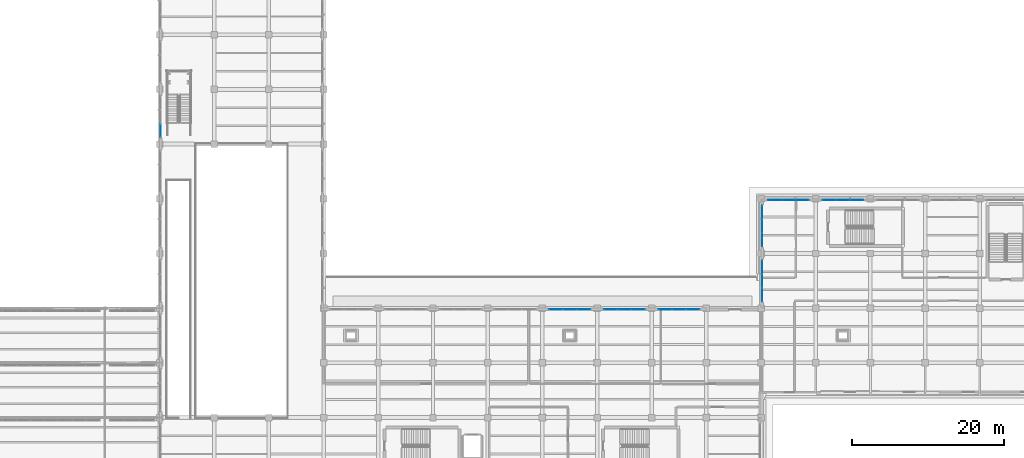
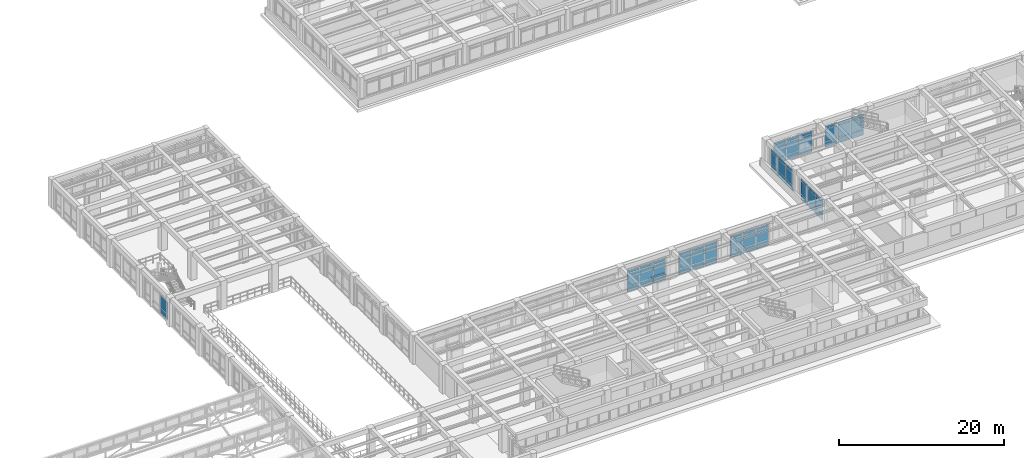
# One storey, part 70 of 98: 65 plates, 8 elements without a shape of their own.
"""IFC4 building model written with IfcOpenShell, lengths in metres."""

from ifc_helpers import new_model, si_unit, direction, frame, origin, origin_2d, place, context, subcontext, project, spatial, rectangle, extrude, material, layer, layer_set, type_object, element, aggregate, save


model = new_model("IFC4")

# Units and contexts
model_context = context("Model", 3, precision=1e-05, world=origin(), true_north=direction((0.0, 1.0)))
body_context = subcontext(model_context, "Body", "Model", "MODEL_VIEW")
ifc_project = project(units=[si_unit("LENGTHUNIT", "METRE"), si_unit("AREAUNIT", "SQUARE_METRE"), si_unit("VOLUMEUNIT", "CUBIC_METRE"), si_unit("PLANEANGLEUNIT", "RADIAN"), si_unit("MASSUNIT", "GRAM", prefix="KILO")], contexts=[model_context])

# Site, building, storey
site_placement = place(None, origin())
site = spatial("IfcSite", under=ifc_project, at=site_placement, CompositionType="ELEMENT")
building_placement = place(site_placement, origin())
building = spatial("IfcBuilding", under=site, at=building_placement, Name="Solenvale Faculty of Natural Sciences", CompositionType="ELEMENT")
storey_placement = place(building_placement, frame((0.0, 0.0, 9.0)))
storey = spatial("IfcBuildingStorey", under=building, at=storey_placement, Name="L02", CompositionType="ELEMENT", Elevation=9.0)

# Curtain wall, plates
ifc_material_1 = material(Name="Anodised bronze aluminium", Category="aluminium")
ifc_layer_1 = layer(ifc_material_1, 0.215087890625)
ifc_layer_set_1 = layer_set([ifc_layer_1], Name="Anodised bronze aluminium")
curtain_wall_type_1 = type_object("IfcCurtainWallType", Name="CW-ATR-UNIT", PredefinedType="USERDEFINED", material=ifc_layer_set_1)
curtain_wall_1_placement = place(storey_placement, origin())
curtain_wall_1 = element("IfcCurtainWall", 1, at=curtain_wall_1_placement, inside=storey, type_object=curtain_wall_type_1, Name="L02 Curtain Wall CW-L02-P1-E9-B4", ObjectType="UNITISED CURTAIN WALL", PredefinedType="USERDEFINED")
ifc_material_2 = material(Name="North-light skylight glass", Category="glass")
ifc_layer_2 = layer(ifc_material_2, 0.028076171875)
ifc_layer_set_2 = layer_set([ifc_layer_2], Name="North-light skylight glass")
plate_type_1 = type_object("IfcPlateType", Name="CWP-PNL-28", PredefinedType="CURTAIN_PANEL", material=ifc_layer_set_2)
plate_1_placement = place(storey_placement, frame((36.142578125, 66.58544921875, 0.074951171875), z_axis=(0.0, 0.0, 1.0), x_axis=(0.0, -1.0, 0.0)))
plate_1 = element("IfcPlate", 2, at=plate_1_placement, type_object=plate_type_1, Name="CW-01 panel 3.1", PredefinedType="CURTAIN_PANEL", context=body_context, shape_type="SweptSolid", body=[
    extrude(rectangle(XDim=1.720947265625, YDim=0.028076171875, at=origin_2d()), origin(), (0.0, 0.0, 1.0), 0.78759765625),
])
plate_2_placement = place(storey_placement, frame((36.142578125, 66.58544921875, 0.9375), z_axis=(0.0, 0.0, 1.0), x_axis=(0.0, -1.0, 0.0)))
plate_2 = element("IfcPlate", 3, at=plate_2_placement, type_object=plate_type_1, Name="CW-01 panel 3.2", PredefinedType="CURTAIN_PANEL", context=body_context, shape_type="SweptSolid", body=[
    extrude(rectangle(XDim=1.720947265625, YDim=0.028076171875, at=origin_2d()), origin(), (0.0, 0.0, 1.0), 1.784912109375),
])
aggregate(curtain_wall_1, [plate_1, plate_2])

ifc_layer_3 = layer(ifc_material_1, 0.199951171875)
ifc_layer_set_3 = layer_set([ifc_layer_3], Name="Anodised bronze aluminium")
curtain_wall_type_2 = type_object("IfcCurtainWallType", Name="CW-COM-FIN", PredefinedType="USERDEFINED", material=ifc_layer_set_3)
curtain_wall_2_placement = place(storey_placement, origin())
curtain_wall_2 = element("IfcCurtainWall", 4, at=curtain_wall_2_placement, inside=storey, type_object=curtain_wall_type_2, Name="L02 Curtain Wall CW-L02-P1-E5-B1", ObjectType="UNITISED CURTAIN WALL", PredefinedType="USERDEFINED")
ifc_material_3 = material(Name="Triple low-E insulated glass", Category="glass")
ifc_layer_4 = layer(ifc_material_3, 0.031982421875)
ifc_layer_set_4 = layer_set([ifc_layer_4], Name="Triple low-E insulated glass")
plate_type_2 = type_object("IfcPlateType", Name="CWP-PNL-32", PredefinedType="CURTAIN_PANEL", material=ifc_layer_set_4)
plate_3_placement = place(storey_placement, frame((115.342529296875, 55.814697265625, 0.074951171875), z_axis=(0.0, 0.0, 1.0), x_axis=(0.0, -1.0, 0.0)))
plate_3 = element("IfcPlate", 5, at=plate_3_placement, type_object=plate_type_2, Name="CW-03 panel 1.1", PredefinedType="CURTAIN_PANEL", context=body_context, shape_type="SweptSolid", body=[
    extrude(rectangle(XDim=1.720947265625, YDim=0.031982421875, at=origin_2d()), origin(), (0.0, 0.0, 1.0), 0.78759765625),
])
plate_4_placement = place(storey_placement, frame((115.342529296875, 55.814697265625, 0.9375), z_axis=(0.0, 0.0, 1.0), x_axis=(0.0, -1.0, 0.0)))
plate_4 = element("IfcPlate", 6, at=plate_4_placement, type_object=plate_type_2, Name="CW-03 panel 1.2", PredefinedType="CURTAIN_PANEL", context=body_context, shape_type="SweptSolid", body=[
    extrude(rectangle(XDim=1.720947265625, YDim=0.031982421875, at=origin_2d()), origin(), (0.0, 0.0, 1.0), 1.784912109375),
])
plate_5_placement = place(storey_placement, frame((115.342529296875, 55.814697265625, 2.79736328125), z_axis=(0.0, 0.0, 1.0), x_axis=(0.0, -1.0, 0.0)))
plate_5 = element("IfcPlate", 7, at=plate_5_placement, type_object=plate_type_2, Name="CW-03 panel 1.3", PredefinedType="CURTAIN_PANEL", context=body_context, shape_type="SweptSolid", body=[
    extrude(rectangle(XDim=1.720947265625, YDim=0.031982421875, at=origin_2d()), origin(), (0.0, 0.0, 1.0), 0.387451171875),
])
plate_6_placement = place(storey_placement, frame((115.342529296875, 54.0, 0.074951171875), z_axis=(0.0, 0.0, 1.0), x_axis=(0.0, -1.0, 0.0)))
plate_6 = element("IfcPlate", 8, at=plate_6_placement, type_object=plate_type_2, Name="CW-03 panel 2.1", PredefinedType="CURTAIN_PANEL", context=body_context, shape_type="SweptSolid", body=[
    extrude(rectangle(XDim=1.75830078125, YDim=0.031982421875, at=origin_2d()), origin(), (0.0, 0.0, 1.0), 0.78759765625),
])
plate_7_placement = place(storey_placement, frame((115.342529296875, 54.0, 0.9375), z_axis=(0.0, 0.0, 1.0), x_axis=(0.0, -1.0, 0.0)))
plate_7 = element("IfcPlate", 9, at=plate_7_placement, type_object=plate_type_2, Name="CW-03 panel 2.2", PredefinedType="CURTAIN_PANEL", context=body_context, shape_type="SweptSolid", body=[
    extrude(rectangle(XDim=1.75830078125, YDim=0.031982421875, at=origin_2d()), origin(), (0.0, 0.0, 1.0), 1.784912109375),
])
plate_8_placement = place(storey_placement, frame((115.342529296875, 54.0, 2.79736328125), z_axis=(0.0, 0.0, 1.0), x_axis=(0.0, -1.0, 0.0)))
plate_8 = element("IfcPlate", 10, at=plate_8_placement, type_object=plate_type_2, Name="CW-03 panel 2.3", PredefinedType="CURTAIN_PANEL", context=body_context, shape_type="SweptSolid", body=[
    extrude(rectangle(XDim=1.75830078125, YDim=0.031982421875, at=origin_2d()), origin(), (0.0, 0.0, 1.0), 0.387451171875),
])
plate_9_placement = place(storey_placement, frame((115.342529296875, 52.185302734375, 0.074951171875), z_axis=(0.0, 0.0, 1.0), x_axis=(0.0, -1.0, 0.0)))
plate_9 = element("IfcPlate", 11, at=plate_9_placement, type_object=plate_type_2, Name="CW-03 panel 3.1", PredefinedType="CURTAIN_PANEL", context=body_context, shape_type="SweptSolid", body=[
    extrude(rectangle(XDim=1.720947265625, YDim=0.031982421875, at=origin_2d()), origin(), (0.0, 0.0, 1.0), 0.78759765625),
])
plate_10_placement = place(storey_placement, frame((115.342529296875, 52.185302734375, 0.9375), z_axis=(0.0, 0.0, 1.0), x_axis=(0.0, -1.0, 0.0)))
plate_10 = element("IfcPlate", 12, at=plate_10_placement, type_object=plate_type_2, Name="CW-03 panel 3.2", PredefinedType="CURTAIN_PANEL", context=body_context, shape_type="SweptSolid", body=[
    extrude(rectangle(XDim=1.720947265625, YDim=0.031982421875, at=origin_2d()), origin(), (0.0, 0.0, 1.0), 1.784912109375),
])
plate_11_placement = place(storey_placement, frame((115.342529296875, 52.185302734375, 2.79736328125), z_axis=(0.0, 0.0, 1.0), x_axis=(0.0, -1.0, 0.0)))
plate_11 = element("IfcPlate", 13, at=plate_11_placement, type_object=plate_type_2, Name="CW-03 panel 3.3", PredefinedType="CURTAIN_PANEL", context=body_context, shape_type="SweptSolid", body=[
    extrude(rectangle(XDim=1.720947265625, YDim=0.031982421875, at=origin_2d()), origin(), (0.0, 0.0, 1.0), 0.387451171875),
])
aggregate(curtain_wall_2, [plate_3, plate_4, plate_5, plate_6, plate_7, plate_8, plate_9, plate_10, plate_11])

curtain_wall_3_placement = place(storey_placement, origin())
curtain_wall_3 = element("IfcCurtainWall", 14, at=curtain_wall_3_placement, inside=storey, type_object=curtain_wall_type_2, Name="L02 Curtain Wall CW-L02-P1-E5-B2", ObjectType="UNITISED CURTAIN WALL", PredefinedType="USERDEFINED")
ifc_layer_5 = layer(ifc_material_3, 0.035888671875)
ifc_layer_set_5 = layer_set([ifc_layer_5], Name="Triple low-E insulated glass")
plate_type_3 = type_object("IfcPlateType", Name="CWP-PNL-36", PredefinedType="CURTAIN_PANEL", material=ifc_layer_set_5)
plate_12_placement = place(storey_placement, frame((115.342529296875, 48.614501953125, 0.074951171875), z_axis=(0.0, 0.0, 1.0), x_axis=(0.0, -1.0, 0.0)))
plate_12 = element("IfcPlate", 15, at=plate_12_placement, type_object=plate_type_3, Name="CW-03 panel 1.1", PredefinedType="CURTAIN_PANEL", context=body_context, shape_type="SweptSolid", body=[
    extrude(rectangle(XDim=1.720947265625, YDim=0.035888671875, at=origin_2d()), origin(), (0.0, 0.0, 1.0), 0.78759765625),
])
plate_13_placement = place(storey_placement, frame((115.342529296875, 48.614501953125, 0.9375), z_axis=(0.0, 0.0, 1.0), x_axis=(0.0, -1.0, 0.0)))
plate_13 = element("IfcPlate", 16, at=plate_13_placement, type_object=plate_type_3, Name="CW-03 panel 1.2", PredefinedType="CURTAIN_PANEL", context=body_context, shape_type="SweptSolid", body=[
    extrude(rectangle(XDim=1.720947265625, YDim=0.035888671875, at=origin_2d()), origin(), (0.0, 0.0, 1.0), 1.784912109375),
])
plate_14_placement = place(storey_placement, frame((115.342529296875, 48.614501953125, 2.79736328125), z_axis=(0.0, 0.0, 1.0), x_axis=(0.0, -1.0, 0.0)))
plate_14 = element("IfcPlate", 17, at=plate_14_placement, type_object=plate_type_3, Name="CW-03 panel 1.3", PredefinedType="CURTAIN_PANEL", context=body_context, shape_type="SweptSolid", body=[
    extrude(rectangle(XDim=1.720947265625, YDim=0.035888671875, at=origin_2d()), origin(), (0.0, 0.0, 1.0), 0.387451171875),
])
plate_15_placement = place(storey_placement, frame((115.342529296875, 46.800048828125, 0.074951171875), z_axis=(0.0, 0.0, 1.0), x_axis=(0.0, -1.0, 0.0)))
plate_15 = element("IfcPlate", 18, at=plate_15_placement, type_object=plate_type_3, Name="CW-03 panel 2.1", PredefinedType="CURTAIN_PANEL", context=body_context, shape_type="SweptSolid", body=[
    extrude(rectangle(XDim=1.75830078125, YDim=0.035888671875, at=origin_2d()), origin(), (0.0, 0.0, 1.0), 0.78759765625),
])
plate_16_placement = place(storey_placement, frame((115.342529296875, 46.800048828125, 0.9375), z_axis=(0.0, 0.0, 1.0), x_axis=(0.0, -1.0, 0.0)))
plate_16 = element("IfcPlate", 19, at=plate_16_placement, type_object=plate_type_3, Name="CW-03 panel 2.2", PredefinedType="CURTAIN_PANEL", context=body_context, shape_type="SweptSolid", body=[
    extrude(rectangle(XDim=1.75830078125, YDim=0.035888671875, at=origin_2d()), origin(), (0.0, 0.0, 1.0), 1.784912109375),
])
plate_17_placement = place(storey_placement, frame((115.342529296875, 46.800048828125, 2.79736328125), z_axis=(0.0, 0.0, 1.0), x_axis=(0.0, -1.0, 0.0)))
plate_17 = element("IfcPlate", 20, at=plate_17_placement, type_object=plate_type_3, Name="CW-03 panel 2.3", PredefinedType="CURTAIN_PANEL", context=body_context, shape_type="SweptSolid", body=[
    extrude(rectangle(XDim=1.75830078125, YDim=0.035888671875, at=origin_2d()), origin(), (0.0, 0.0, 1.0), 0.387451171875),
])
plate_18_placement = place(storey_placement, frame((115.342529296875, 44.9853515625, 0.074951171875), z_axis=(0.0, 0.0, 1.0), x_axis=(0.0, -1.0, 0.0)))
plate_18 = element("IfcPlate", 21, at=plate_18_placement, type_object=plate_type_3, Name="CW-03 panel 3.1", PredefinedType="CURTAIN_PANEL", context=body_context, shape_type="SweptSolid", body=[
    extrude(rectangle(XDim=1.720947265625, YDim=0.035888671875, at=origin_2d()), origin(), (0.0, 0.0, 1.0), 0.78759765625),
])
plate_19_placement = place(storey_placement, frame((115.342529296875, 44.9853515625, 0.9375), z_axis=(0.0, 0.0, 1.0), x_axis=(0.0, -1.0, 0.0)))
plate_19 = element("IfcPlate", 22, at=plate_19_placement, type_object=plate_type_3, Name="CW-03 panel 3.2", PredefinedType="CURTAIN_PANEL", context=body_context, shape_type="SweptSolid", body=[
    extrude(rectangle(XDim=1.720947265625, YDim=0.035888671875, at=origin_2d()), origin(), (0.0, 0.0, 1.0), 1.784912109375),
])
plate_20_placement = place(storey_placement, frame((115.342529296875, 44.9853515625, 2.79736328125), z_axis=(0.0, 0.0, 1.0), x_axis=(0.0, -1.0, 0.0)))
plate_20 = element("IfcPlate", 23, at=plate_20_placement, type_object=plate_type_3, Name="CW-03 panel 3.3", PredefinedType="CURTAIN_PANEL", context=body_context, shape_type="SweptSolid", body=[
    extrude(rectangle(XDim=1.720947265625, YDim=0.035888671875, at=origin_2d()), origin(), (0.0, 0.0, 1.0), 0.387451171875),
])
aggregate(curtain_wall_3, [plate_12, plate_13, plate_14, plate_15, plate_16, plate_17, plate_18, plate_19, plate_20])

ifc_layer_6 = layer(ifc_material_1, 0.18994140625)
ifc_layer_set_6 = layer_set([ifc_layer_6], Name="Anodised bronze aluminium")
curtain_wall_type_3 = type_object("IfcCurtainWallType", Name="CW-TRAY-REC", PredefinedType="USERDEFINED", material=ifc_layer_set_6)
curtain_wall_4_placement = place(storey_placement, origin())
curtain_wall_4 = element("IfcCurtainWall", 24, at=curtain_wall_4_placement, inside=storey, type_object=curtain_wall_type_3, Name="L02 Curtain Wall CW-L02-P1-E6-B2", ObjectType="UNITISED CURTAIN WALL", PredefinedType="USERDEFINED")
ifc_layer_7 = layer(ifc_material_3, 0.0400390625)
ifc_layer_set_7 = layer_set([ifc_layer_7], Name="Triple low-E insulated glass")
plate_type_4 = type_object("IfcPlateType", Name="CWP-PNL-40", PredefinedType="CURTAIN_PANEL", material=ifc_layer_set_7)
plate_21_placement = place(storey_placement, frame((106.214599609375, 43.03759765625, 0.074951171875), z_axis=(0.0, 0.0, 1.0), x_axis=(-1.0, 0.0, 0.0)))
plate_21 = element("IfcPlate", 25, at=plate_21_placement, type_object=plate_type_4, Name="CW-02 panel 1.1", PredefinedType="CURTAIN_PANEL", context=body_context, shape_type="SweptSolid", body=[
    extrude(rectangle(XDim=1.720947265625, YDim=0.0400390625, at=origin_2d()), origin(), (0.0, 0.0, 1.0), 0.78759765625),
])
plate_22_placement = place(storey_placement, frame((106.214599609375, 43.03759765625, 0.9375), z_axis=(0.0, 0.0, 1.0), x_axis=(-1.0, 0.0, 0.0)))
plate_22 = element("IfcPlate", 26, at=plate_22_placement, type_object=plate_type_4, Name="CW-02 panel 1.2", PredefinedType="CURTAIN_PANEL", context=body_context, shape_type="SweptSolid", body=[
    extrude(rectangle(XDim=1.720947265625, YDim=0.0400390625, at=origin_2d()), origin(), (0.0, 0.0, 1.0), 1.784912109375),
])
plate_23_placement = place(storey_placement, frame((106.214599609375, 43.03759765625, 2.79736328125), z_axis=(0.0, 0.0, 1.0), x_axis=(-1.0, 0.0, 0.0)))
plate_23 = element("IfcPlate", 27, at=plate_23_placement, type_object=plate_type_4, Name="CW-02 panel 1.3", PredefinedType="CURTAIN_PANEL", context=body_context, shape_type="SweptSolid", body=[
    extrude(rectangle(XDim=1.720947265625, YDim=0.0400390625, at=origin_2d()), origin(), (0.0, 0.0, 1.0), 0.387451171875),
])
plate_24_placement = place(storey_placement, frame((104.39990234375, 43.03759765625, 0.074951171875), z_axis=(0.0, 0.0, 1.0), x_axis=(-1.0, 0.0, 0.0)))
plate_24 = element("IfcPlate", 28, at=plate_24_placement, type_object=plate_type_4, Name="CW-02 panel 2.1", PredefinedType="CURTAIN_PANEL", context=body_context, shape_type="SweptSolid", body=[
    extrude(rectangle(XDim=1.75830078125, YDim=0.0400390625, at=origin_2d()), origin(), (0.0, 0.0, 1.0), 0.78759765625),
])
plate_25_placement = place(storey_placement, frame((104.39990234375, 43.03759765625, 0.9375), z_axis=(0.0, 0.0, 1.0), x_axis=(-1.0, 0.0, 0.0)))
plate_25 = element("IfcPlate", 29, at=plate_25_placement, type_object=plate_type_4, Name="CW-02 panel 2.2", PredefinedType="CURTAIN_PANEL", context=body_context, shape_type="SweptSolid", body=[
    extrude(rectangle(XDim=1.75830078125, YDim=0.0400390625, at=origin_2d()), origin(), (0.0, 0.0, 1.0), 1.784912109375),
])
plate_26_placement = place(storey_placement, frame((104.39990234375, 43.03759765625, 2.79736328125), z_axis=(0.0, 0.0, 1.0), x_axis=(-1.0, 0.0, 0.0)))
plate_26 = element("IfcPlate", 30, at=plate_26_placement, type_object=plate_type_4, Name="CW-02 panel 2.3", PredefinedType="CURTAIN_PANEL", context=body_context, shape_type="SweptSolid", body=[
    extrude(rectangle(XDim=1.75830078125, YDim=0.0400390625, at=origin_2d()), origin(), (0.0, 0.0, 1.0), 0.387451171875),
])
plate_27_placement = place(storey_placement, frame((102.58544921875, 43.03759765625, 0.074951171875), z_axis=(0.0, 0.0, 1.0), x_axis=(-1.0, 0.0, 0.0)))
plate_27 = element("IfcPlate", 31, at=plate_27_placement, type_object=plate_type_4, Name="CW-02 panel 3.1", PredefinedType="CURTAIN_PANEL", context=body_context, shape_type="SweptSolid", body=[
    extrude(rectangle(XDim=1.720947265625, YDim=0.0400390625, at=origin_2d()), origin(), (0.0, 0.0, 1.0), 0.78759765625),
])
plate_28_placement = place(storey_placement, frame((102.58544921875, 43.03759765625, 0.9375), z_axis=(0.0, 0.0, 1.0), x_axis=(-1.0, 0.0, 0.0)))
plate_28 = element("IfcPlate", 32, at=plate_28_placement, type_object=plate_type_4, Name="CW-02 panel 3.2", PredefinedType="CURTAIN_PANEL", context=body_context, shape_type="SweptSolid", body=[
    extrude(rectangle(XDim=1.720947265625, YDim=0.0400390625, at=origin_2d()), origin(), (0.0, 0.0, 1.0), 1.784912109375),
])
plate_29_placement = place(storey_placement, frame((102.58544921875, 43.03759765625, 2.79736328125), z_axis=(0.0, 0.0, 1.0), x_axis=(-1.0, 0.0, 0.0)))
plate_29 = element("IfcPlate", 33, at=plate_29_placement, type_object=plate_type_4, Name="CW-02 panel 3.3", PredefinedType="CURTAIN_PANEL", context=body_context, shape_type="SweptSolid", body=[
    extrude(rectangle(XDim=1.720947265625, YDim=0.0400390625, at=origin_2d()), origin(), (0.0, 0.0, 1.0), 0.387451171875),
])
aggregate(curtain_wall_4, [plate_21, plate_22, plate_23, plate_24, plate_25, plate_26, plate_27, plate_28, plate_29])

curtain_wall_5_placement = place(storey_placement, origin())
curtain_wall_5 = element("IfcCurtainWall", 34, at=curtain_wall_5_placement, inside=storey, type_object=curtain_wall_type_3, Name="L02 Curtain Wall CW-L02-P1-E6-B3", ObjectType="UNITISED CURTAIN WALL", PredefinedType="USERDEFINED")
ifc_layer_8 = layer(ifc_material_3, 0.0439453125)
ifc_layer_set_8 = layer_set([ifc_layer_8], Name="Triple low-E insulated glass")
plate_type_5 = type_object("IfcPlateType", Name="CWP-PNL-44", PredefinedType="CURTAIN_PANEL", material=ifc_layer_set_8)
plate_30_placement = place(storey_placement, frame((99.0146484375, 43.03759765625, 0.074951171875), z_axis=(0.0, 0.0, 1.0), x_axis=(-1.0, 0.0, 0.0)))
plate_30 = element("IfcPlate", 35, at=plate_30_placement, type_object=plate_type_5, Name="CW-02 panel 1.1", PredefinedType="CURTAIN_PANEL", context=body_context, shape_type="SweptSolid", body=[
    extrude(rectangle(XDim=1.720947265625, YDim=0.0439453125, at=origin_2d()), origin(), (0.0, 0.0, 1.0), 0.78759765625),
])
plate_31_placement = place(storey_placement, frame((99.0146484375, 43.03759765625, 0.9375), z_axis=(0.0, 0.0, 1.0), x_axis=(-1.0, 0.0, 0.0)))
plate_31 = element("IfcPlate", 36, at=plate_31_placement, type_object=plate_type_5, Name="CW-02 panel 1.2", PredefinedType="CURTAIN_PANEL", context=body_context, shape_type="SweptSolid", body=[
    extrude(rectangle(XDim=1.720947265625, YDim=0.0439453125, at=origin_2d()), origin(), (0.0, 0.0, 1.0), 1.784912109375),
])
plate_32_placement = place(storey_placement, frame((99.0146484375, 43.03759765625, 2.79736328125), z_axis=(0.0, 0.0, 1.0), x_axis=(-1.0, 0.0, 0.0)))
plate_32 = element("IfcPlate", 37, at=plate_32_placement, type_object=plate_type_5, Name="CW-02 panel 1.3", PredefinedType="CURTAIN_PANEL", context=body_context, shape_type="SweptSolid", body=[
    extrude(rectangle(XDim=1.720947265625, YDim=0.0439453125, at=origin_2d()), origin(), (0.0, 0.0, 1.0), 0.387451171875),
])
plate_33_placement = place(storey_placement, frame((97.199951171875, 43.03759765625, 0.074951171875), z_axis=(0.0, 0.0, 1.0), x_axis=(-1.0, 0.0, 0.0)))
plate_33 = element("IfcPlate", 38, at=plate_33_placement, type_object=plate_type_5, Name="CW-02 panel 2.1", PredefinedType="CURTAIN_PANEL", context=body_context, shape_type="SweptSolid", body=[
    extrude(rectangle(XDim=1.75830078125, YDim=0.0439453125, at=origin_2d()), origin(), (0.0, 0.0, 1.0), 0.78759765625),
])
plate_34_placement = place(storey_placement, frame((97.199951171875, 43.03759765625, 0.9375), z_axis=(0.0, 0.0, 1.0), x_axis=(-1.0, 0.0, 0.0)))
plate_34 = element("IfcPlate", 39, at=plate_34_placement, type_object=plate_type_5, Name="CW-02 panel 2.2", PredefinedType="CURTAIN_PANEL", context=body_context, shape_type="SweptSolid", body=[
    extrude(rectangle(XDim=1.75830078125, YDim=0.0439453125, at=origin_2d()), origin(), (0.0, 0.0, 1.0), 1.784912109375),
])
plate_35_placement = place(storey_placement, frame((97.199951171875, 43.03759765625, 2.79736328125), z_axis=(0.0, 0.0, 1.0), x_axis=(-1.0, 0.0, 0.0)))
plate_35 = element("IfcPlate", 40, at=plate_35_placement, type_object=plate_type_5, Name="CW-02 panel 2.3", PredefinedType="CURTAIN_PANEL", context=body_context, shape_type="SweptSolid", body=[
    extrude(rectangle(XDim=1.75830078125, YDim=0.0439453125, at=origin_2d()), origin(), (0.0, 0.0, 1.0), 0.387451171875),
])
plate_36_placement = place(storey_placement, frame((95.385498046875, 43.03759765625, 0.074951171875), z_axis=(0.0, 0.0, 1.0), x_axis=(-1.0, 0.0, 0.0)))
plate_36 = element("IfcPlate", 41, at=plate_36_placement, type_object=plate_type_5, Name="CW-02 panel 3.1", PredefinedType="CURTAIN_PANEL", context=body_context, shape_type="SweptSolid", body=[
    extrude(rectangle(XDim=1.720947265625, YDim=0.0439453125, at=origin_2d()), origin(), (0.0, 0.0, 1.0), 0.78759765625),
])
plate_37_placement = place(storey_placement, frame((95.385498046875, 43.03759765625, 0.9375), z_axis=(0.0, 0.0, 1.0), x_axis=(-1.0, 0.0, 0.0)))
plate_37 = element("IfcPlate", 42, at=plate_37_placement, type_object=plate_type_5, Name="CW-02 panel 3.2", PredefinedType="CURTAIN_PANEL", context=body_context, shape_type="SweptSolid", body=[
    extrude(rectangle(XDim=1.720947265625, YDim=0.0439453125, at=origin_2d()), origin(), (0.0, 0.0, 1.0), 1.784912109375),
])
plate_38_placement = place(storey_placement, frame((95.385498046875, 43.03759765625, 2.79736328125), z_axis=(0.0, 0.0, 1.0), x_axis=(-1.0, 0.0, 0.0)))
plate_38 = element("IfcPlate", 43, at=plate_38_placement, type_object=plate_type_5, Name="CW-02 panel 3.3", PredefinedType="CURTAIN_PANEL", context=body_context, shape_type="SweptSolid", body=[
    extrude(rectangle(XDim=1.720947265625, YDim=0.0439453125, at=origin_2d()), origin(), (0.0, 0.0, 1.0), 0.387451171875),
])
aggregate(curtain_wall_5, [plate_30, plate_31, plate_32, plate_33, plate_34, plate_35, plate_36, plate_37, plate_38])

curtain_wall_6_placement = place(storey_placement, origin())
curtain_wall_6 = element("IfcCurtainWall", 44, at=curtain_wall_6_placement, inside=storey, type_object=curtain_wall_type_2, Name="L02 Curtain Wall CW-L02-P1-E4-B6", ObjectType="UNITISED CURTAIN WALL", PredefinedType="USERDEFINED")
ifc_layer_9 = layer(ifc_material_1, 0.048095703125)
ifc_layer_set_9 = layer_set([ifc_layer_9], Name="Anodised bronze aluminium")
plate_type_6 = type_object("IfcPlateType", Name="CWP-PNL-48", PredefinedType="CURTAIN_PANEL", material=ifc_layer_set_9)
plate_39_placement = place(storey_placement, frame((127.814697265625, 57.45751953125, 0.074951171875), z_axis=(0.0, 0.0, 1.0), x_axis=(-1.0, 0.0, 0.0)))
plate_39 = element("IfcPlate", 45, at=plate_39_placement, type_object=plate_type_6, Name="CW-03 panel 1.1", PredefinedType="CURTAIN_PANEL", context=body_context, shape_type="SweptSolid", body=[
    extrude(rectangle(XDim=1.720947265625, YDim=0.048095703125, at=origin_2d()), origin(), (0.0, 0.0, 1.0), 0.78759765625),
])
plate_40_placement = place(storey_placement, frame((127.814697265625, 57.45751953125, 0.9375), z_axis=(0.0, 0.0, 1.0), x_axis=(-1.0, 0.0, 0.0)))
plate_40 = element("IfcPlate", 46, at=plate_40_placement, type_object=plate_type_6, Name="CW-03 panel 1.2", PredefinedType="CURTAIN_PANEL", context=body_context, shape_type="SweptSolid", body=[
    extrude(rectangle(XDim=1.720947265625, YDim=0.048095703125, at=origin_2d()), origin(), (0.0, 0.0, 1.0), 1.784912109375),
])
plate_41_placement = place(storey_placement, frame((127.814697265625, 57.45751953125, 2.79736328125), z_axis=(0.0, 0.0, 1.0), x_axis=(-1.0, 0.0, 0.0)))
plate_41 = element("IfcPlate", 47, at=plate_41_placement, type_object=plate_type_6, Name="CW-03 panel 1.3", PredefinedType="CURTAIN_PANEL", context=body_context, shape_type="SweptSolid", body=[
    extrude(rectangle(XDim=1.720947265625, YDim=0.048095703125, at=origin_2d()), origin(), (0.0, 0.0, 1.0), 0.387451171875),
])
plate_42_placement = place(storey_placement, frame((126.0, 57.45751953125, 0.074951171875), z_axis=(0.0, 0.0, 1.0), x_axis=(-1.0, 0.0, 0.0)))
plate_42 = element("IfcPlate", 48, at=plate_42_placement, type_object=plate_type_6, Name="CW-03 panel 2.1", PredefinedType="CURTAIN_PANEL", context=body_context, shape_type="SweptSolid", body=[
    extrude(rectangle(XDim=1.75830078125, YDim=0.048095703125, at=origin_2d()), origin(), (0.0, 0.0, 1.0), 0.78759765625),
])
plate_43_placement = place(storey_placement, frame((126.0, 57.45751953125, 0.9375), z_axis=(0.0, 0.0, 1.0), x_axis=(-1.0, 0.0, 0.0)))
plate_43 = element("IfcPlate", 49, at=plate_43_placement, type_object=plate_type_6, Name="CW-03 panel 2.2", PredefinedType="CURTAIN_PANEL", context=body_context, shape_type="SweptSolid", body=[
    extrude(rectangle(XDim=1.75830078125, YDim=0.048095703125, at=origin_2d()), origin(), (0.0, 0.0, 1.0), 1.784912109375),
])
plate_44_placement = place(storey_placement, frame((126.0, 57.45751953125, 2.79736328125), z_axis=(0.0, 0.0, 1.0), x_axis=(-1.0, 0.0, 0.0)))
plate_44 = element("IfcPlate", 50, at=plate_44_placement, type_object=plate_type_6, Name="CW-03 panel 2.3", PredefinedType="CURTAIN_PANEL", context=body_context, shape_type="SweptSolid", body=[
    extrude(rectangle(XDim=1.75830078125, YDim=0.048095703125, at=origin_2d()), origin(), (0.0, 0.0, 1.0), 0.387451171875),
])
plate_45_placement = place(storey_placement, frame((124.185302734375, 57.45751953125, 0.074951171875), z_axis=(0.0, 0.0, 1.0), x_axis=(-1.0, 0.0, 0.0)))
plate_45 = element("IfcPlate", 51, at=plate_45_placement, type_object=plate_type_6, Name="CW-03 panel 3.1", PredefinedType="CURTAIN_PANEL", context=body_context, shape_type="SweptSolid", body=[
    extrude(rectangle(XDim=1.720947265625, YDim=0.048095703125, at=origin_2d()), origin(), (0.0, 0.0, 1.0), 0.78759765625),
])
plate_46_placement = place(storey_placement, frame((124.185302734375, 57.45751953125, 0.9375), z_axis=(0.0, 0.0, 1.0), x_axis=(-1.0, 0.0, 0.0)))
plate_46 = element("IfcPlate", 52, at=plate_46_placement, type_object=plate_type_6, Name="CW-03 panel 3.2", PredefinedType="CURTAIN_PANEL", context=body_context, shape_type="SweptSolid", body=[
    extrude(rectangle(XDim=1.720947265625, YDim=0.048095703125, at=origin_2d()), origin(), (0.0, 0.0, 1.0), 1.784912109375),
])
plate_47_placement = place(storey_placement, frame((124.185302734375, 57.45751953125, 2.79736328125), z_axis=(0.0, 0.0, 1.0), x_axis=(-1.0, 0.0, 0.0)))
plate_47 = element("IfcPlate", 53, at=plate_47_placement, type_object=plate_type_6, Name="CW-03 panel 3.3", PredefinedType="CURTAIN_PANEL", context=body_context, shape_type="SweptSolid", body=[
    extrude(rectangle(XDim=1.720947265625, YDim=0.048095703125, at=origin_2d()), origin(), (0.0, 0.0, 1.0), 0.387451171875),
])
aggregate(curtain_wall_6, [plate_39, plate_40, plate_41, plate_42, plate_43, plate_44, plate_45, plate_46, plate_47])

curtain_wall_7_placement = place(storey_placement, origin())
curtain_wall_7 = element("IfcCurtainWall", 54, at=curtain_wall_7_placement, inside=storey, type_object=curtain_wall_type_3, Name="L02 Curtain Wall CW-L02-P1-E6-B4", ObjectType="UNITISED CURTAIN WALL", PredefinedType="USERDEFINED")
plate_48_placement = place(storey_placement, frame((91.814697265625, 43.03759765625, 0.074951171875), z_axis=(0.0, 0.0, 1.0), x_axis=(-1.0, 0.0, 0.0)))
plate_48 = element("IfcPlate", 55, at=plate_48_placement, type_object=plate_type_6, Name="CW-02 panel 1.1", PredefinedType="CURTAIN_PANEL", context=body_context, shape_type="SweptSolid", body=[
    extrude(rectangle(XDim=1.720947265625, YDim=0.048095703125, at=origin_2d()), origin(), (0.0, 0.0, 1.0), 0.78759765625),
])
plate_49_placement = place(storey_placement, frame((91.814697265625, 43.03759765625, 0.9375), z_axis=(0.0, 0.0, 1.0), x_axis=(-1.0, 0.0, 0.0)))
plate_49 = element("IfcPlate", 56, at=plate_49_placement, type_object=plate_type_6, Name="CW-02 panel 1.2", PredefinedType="CURTAIN_PANEL", context=body_context, shape_type="SweptSolid", body=[
    extrude(rectangle(XDim=1.720947265625, YDim=0.048095703125, at=origin_2d()), origin(), (0.0, 0.0, 1.0), 1.784912109375),
])
plate_50_placement = place(storey_placement, frame((91.814697265625, 43.03759765625, 2.79736328125), z_axis=(0.0, 0.0, 1.0), x_axis=(-1.0, 0.0, 0.0)))
plate_50 = element("IfcPlate", 57, at=plate_50_placement, type_object=plate_type_6, Name="CW-02 panel 1.3", PredefinedType="CURTAIN_PANEL", context=body_context, shape_type="SweptSolid", body=[
    extrude(rectangle(XDim=1.720947265625, YDim=0.048095703125, at=origin_2d()), origin(), (0.0, 0.0, 1.0), 0.387451171875),
])
plate_51_placement = place(storey_placement, frame((90.0, 43.03759765625, 0.074951171875), z_axis=(0.0, 0.0, 1.0), x_axis=(-1.0, 0.0, 0.0)))
plate_51 = element("IfcPlate", 58, at=plate_51_placement, type_object=plate_type_6, Name="CW-02 panel 2.1", PredefinedType="CURTAIN_PANEL", context=body_context, shape_type="SweptSolid", body=[
    extrude(rectangle(XDim=1.75830078125, YDim=0.048095703125, at=origin_2d()), origin(), (0.0, 0.0, 1.0), 0.78759765625),
])
plate_52_placement = place(storey_placement, frame((90.0, 43.03759765625, 0.9375), z_axis=(0.0, 0.0, 1.0), x_axis=(-1.0, 0.0, 0.0)))
plate_52 = element("IfcPlate", 59, at=plate_52_placement, type_object=plate_type_6, Name="CW-02 panel 2.2", PredefinedType="CURTAIN_PANEL", context=body_context, shape_type="SweptSolid", body=[
    extrude(rectangle(XDim=1.75830078125, YDim=0.048095703125, at=origin_2d()), origin(), (0.0, 0.0, 1.0), 1.784912109375),
])
plate_53_placement = place(storey_placement, frame((90.0, 43.03759765625, 2.79736328125), z_axis=(0.0, 0.0, 1.0), x_axis=(-1.0, 0.0, 0.0)))
plate_53 = element("IfcPlate", 60, at=plate_53_placement, type_object=plate_type_6, Name="CW-02 panel 2.3", PredefinedType="CURTAIN_PANEL", context=body_context, shape_type="SweptSolid", body=[
    extrude(rectangle(XDim=1.75830078125, YDim=0.048095703125, at=origin_2d()), origin(), (0.0, 0.0, 1.0), 0.387451171875),
])
plate_54_placement = place(storey_placement, frame((88.185302734375, 43.03759765625, 0.074951171875), z_axis=(0.0, 0.0, 1.0), x_axis=(-1.0, 0.0, 0.0)))
plate_54 = element("IfcPlate", 61, at=plate_54_placement, type_object=plate_type_6, Name="CW-02 panel 3.1", PredefinedType="CURTAIN_PANEL", context=body_context, shape_type="SweptSolid", body=[
    extrude(rectangle(XDim=1.720947265625, YDim=0.048095703125, at=origin_2d()), origin(), (0.0, 0.0, 1.0), 0.78759765625),
])
plate_55_placement = place(storey_placement, frame((88.185302734375, 43.03759765625, 0.9375), z_axis=(0.0, 0.0, 1.0), x_axis=(-1.0, 0.0, 0.0)))
plate_55 = element("IfcPlate", 62, at=plate_55_placement, type_object=plate_type_6, Name="CW-02 panel 3.2", PredefinedType="CURTAIN_PANEL", context=body_context, shape_type="SweptSolid", body=[
    extrude(rectangle(XDim=1.720947265625, YDim=0.048095703125, at=origin_2d()), origin(), (0.0, 0.0, 1.0), 1.784912109375),
])
plate_56_placement = place(storey_placement, frame((88.185302734375, 43.03759765625, 2.79736328125), z_axis=(0.0, 0.0, 1.0), x_axis=(-1.0, 0.0, 0.0)))
plate_56 = element("IfcPlate", 63, at=plate_56_placement, type_object=plate_type_6, Name="CW-02 panel 3.3", PredefinedType="CURTAIN_PANEL", context=body_context, shape_type="SweptSolid", body=[
    extrude(rectangle(XDim=1.720947265625, YDim=0.048095703125, at=origin_2d()), origin(), (0.0, 0.0, 1.0), 0.387451171875),
])
aggregate(curtain_wall_7, [plate_48, plate_49, plate_50, plate_51, plate_52, plate_53, plate_54, plate_55, plate_56])

curtain_wall_8_placement = place(storey_placement, origin())
curtain_wall_8 = element("IfcCurtainWall", 64, at=curtain_wall_8_placement, inside=storey, type_object=curtain_wall_type_2, Name="L02 Curtain Wall CW-L02-P1-E4-B7", ObjectType="UNITISED CURTAIN WALL", PredefinedType="USERDEFINED")
ifc_layer_10 = layer(ifc_material_1, 0.053955078125)
ifc_layer_set_10 = layer_set([ifc_layer_10], Name="Anodised bronze aluminium")
plate_type_7 = type_object("IfcPlateType", Name="CWP-PNL-54", PredefinedType="CURTAIN_PANEL", material=ifc_layer_set_10)
plate_57_placement = place(storey_placement, frame((120.614501953125, 57.45751953125, 0.074951171875), z_axis=(0.0, 0.0, 1.0), x_axis=(-1.0, 0.0, 0.0)))
plate_57 = element("IfcPlate", 65, at=plate_57_placement, type_object=plate_type_7, Name="CW-03 panel 1.1", PredefinedType="CURTAIN_PANEL", context=body_context, shape_type="SweptSolid", body=[
    extrude(rectangle(XDim=1.720947265625, YDim=0.053955078125, at=origin_2d()), origin(), (0.0, 0.0, 1.0), 0.78759765625),
])
plate_58_placement = place(storey_placement, frame((120.614501953125, 57.45751953125, 0.9375), z_axis=(0.0, 0.0, 1.0), x_axis=(-1.0, 0.0, 0.0)))
plate_58 = element("IfcPlate", 66, at=plate_58_placement, type_object=plate_type_7, Name="CW-03 panel 1.2", PredefinedType="CURTAIN_PANEL", context=body_context, shape_type="SweptSolid", body=[
    extrude(rectangle(XDim=1.720947265625, YDim=0.053955078125, at=origin_2d()), origin(), (0.0, 0.0, 1.0), 1.784912109375),
])
plate_59_placement = place(storey_placement, frame((120.614501953125, 57.45751953125, 2.79736328125), z_axis=(0.0, 0.0, 1.0), x_axis=(-1.0, 0.0, 0.0)))
plate_59 = element("IfcPlate", 67, at=plate_59_placement, type_object=plate_type_7, Name="CW-03 panel 1.3", PredefinedType="CURTAIN_PANEL", context=body_context, shape_type="SweptSolid", body=[
    extrude(rectangle(XDim=1.720947265625, YDim=0.053955078125, at=origin_2d()), origin(), (0.0, 0.0, 1.0), 0.387451171875),
])
plate_60_placement = place(storey_placement, frame((118.800048828125, 57.45751953125, 0.074951171875), z_axis=(0.0, 0.0, 1.0), x_axis=(-1.0, 0.0, 0.0)))
plate_60 = element("IfcPlate", 68, at=plate_60_placement, type_object=plate_type_7, Name="CW-03 panel 2.1", PredefinedType="CURTAIN_PANEL", context=body_context, shape_type="SweptSolid", body=[
    extrude(rectangle(XDim=1.75830078125, YDim=0.053955078125, at=origin_2d()), origin(), (0.0, 0.0, 1.0), 0.78759765625),
])
plate_61_placement = place(storey_placement, frame((118.800048828125, 57.45751953125, 0.9375), z_axis=(0.0, 0.0, 1.0), x_axis=(-1.0, 0.0, 0.0)))
plate_61 = element("IfcPlate", 69, at=plate_61_placement, type_object=plate_type_7, Name="CW-03 panel 2.2", PredefinedType="CURTAIN_PANEL", context=body_context, shape_type="SweptSolid", body=[
    extrude(rectangle(XDim=1.75830078125, YDim=0.053955078125, at=origin_2d()), origin(), (0.0, 0.0, 1.0), 1.784912109375),
])
plate_62_placement = place(storey_placement, frame((118.800048828125, 57.45751953125, 2.79736328125), z_axis=(0.0, 0.0, 1.0), x_axis=(-1.0, 0.0, 0.0)))
plate_62 = element("IfcPlate", 70, at=plate_62_placement, type_object=plate_type_7, Name="CW-03 panel 2.3", PredefinedType="CURTAIN_PANEL", context=body_context, shape_type="SweptSolid", body=[
    extrude(rectangle(XDim=1.75830078125, YDim=0.053955078125, at=origin_2d()), origin(), (0.0, 0.0, 1.0), 0.387451171875),
])
plate_63_placement = place(storey_placement, frame((116.9853515625, 57.45751953125, 0.074951171875), z_axis=(0.0, 0.0, 1.0), x_axis=(-1.0, 0.0, 0.0)))
plate_63 = element("IfcPlate", 71, at=plate_63_placement, type_object=plate_type_7, Name="CW-03 panel 3.1", PredefinedType="CURTAIN_PANEL", context=body_context, shape_type="SweptSolid", body=[
    extrude(rectangle(XDim=1.720947265625, YDim=0.053955078125, at=origin_2d()), origin(), (0.0, 0.0, 1.0), 0.78759765625),
])
plate_64_placement = place(storey_placement, frame((116.9853515625, 57.45751953125, 0.9375), z_axis=(0.0, 0.0, 1.0), x_axis=(-1.0, 0.0, 0.0)))
plate_64 = element("IfcPlate", 72, at=plate_64_placement, type_object=plate_type_7, Name="CW-03 panel 3.2", PredefinedType="CURTAIN_PANEL", context=body_context, shape_type="SweptSolid", body=[
    extrude(rectangle(XDim=1.720947265625, YDim=0.053955078125, at=origin_2d()), origin(), (0.0, 0.0, 1.0), 1.784912109375),
])
plate_65_placement = place(storey_placement, frame((116.9853515625, 57.45751953125, 2.79736328125), z_axis=(0.0, 0.0, 1.0), x_axis=(-1.0, 0.0, 0.0)))
plate_65 = element("IfcPlate", 73, at=plate_65_placement, type_object=plate_type_7, Name="CW-03 panel 3.3", PredefinedType="CURTAIN_PANEL", context=body_context, shape_type="SweptSolid", body=[
    extrude(rectangle(XDim=1.720947265625, YDim=0.053955078125, at=origin_2d()), origin(), (0.0, 0.0, 1.0), 0.387451171875),
])
aggregate(curtain_wall_8, [plate_57, plate_58, plate_59, plate_60, plate_61, plate_62, plate_63, plate_64, plate_65])

save(model, "model.ifc")
